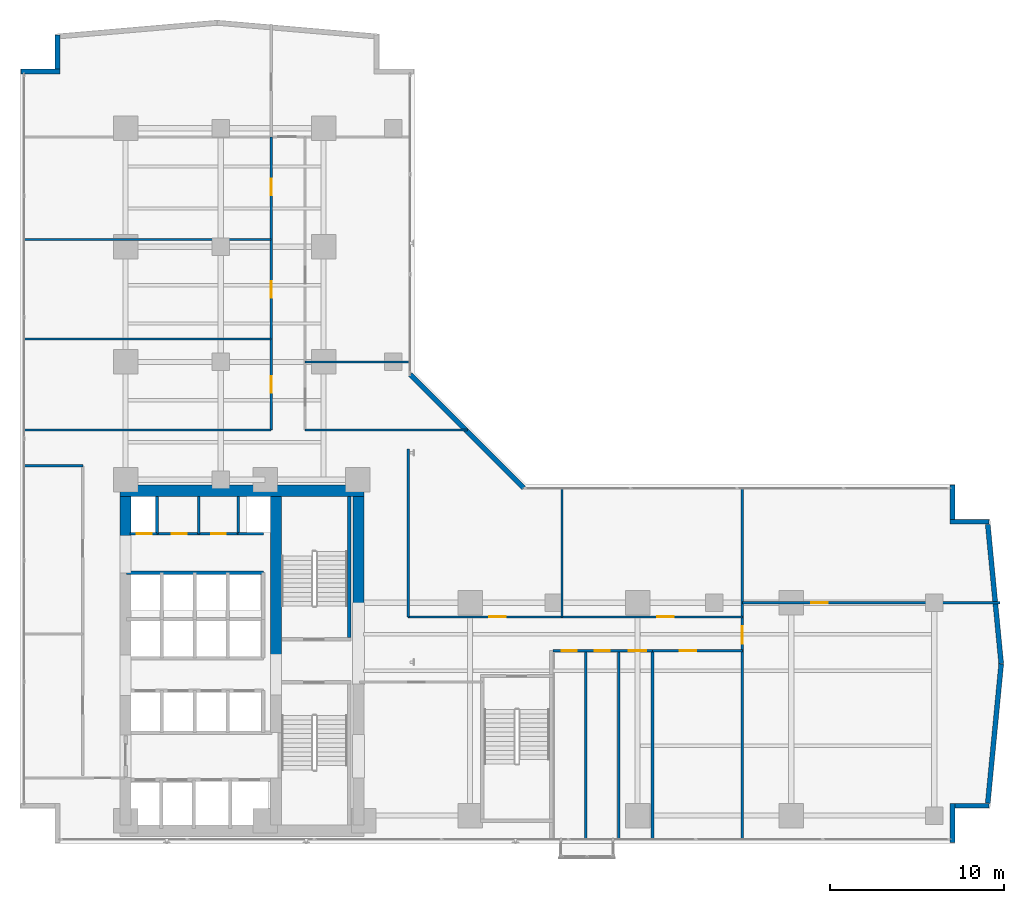
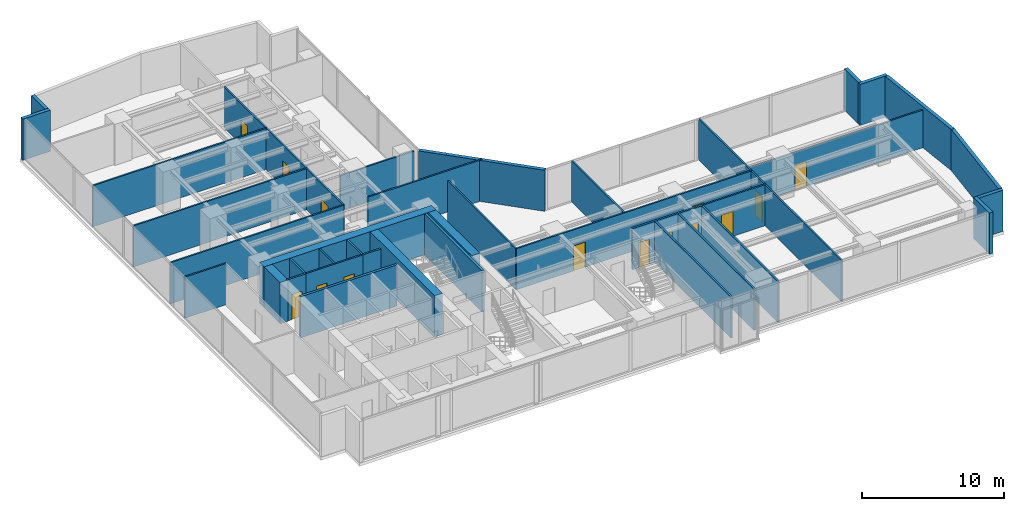
# One storey, part 22 of 26: 38 walls, 14 doors, 14 openings.
"""IFC4 building model written with IfcOpenShell, lengths in metres."""

import ifcopenshell
import ifcopenshell.guid

model = None  # the IFC model being written
_history = None  # IfcOwnerHistory: only IFC2X3 demands one
_inside = {}  # id of a spatial element -> (the spatial element, [elements in it])
_under = {}  # id of a project, library or spatial element -> (it, [spatial elements below it])
_declared = {}  # id of a project -> (the project, [libraries it declares])
_typed = {}  # id of a type object -> (the type object, [elements of that type])
_made_of = {}  # id of a material, layer set ... -> (it, [elements and type objects made of it])


def new_model(schema):
    """Start an empty IFC model of exactly this schema.

    Asked for "IFC4X3", IfcOpenShell would pick the latest addendum, in which some entities
    have other attributes; the version numbers below select the first issue.
    IFC2X3 requires an IfcOwnerHistory on every rooted entity: one is made here for all.
    """
    global model, _history
    if schema == "IFC4X3":
        model = ifcopenshell.file(schema_version=(4, 3, 0, 0))
    else:
        model = ifcopenshell.file(schema=schema)
    _inside.clear()
    _under.clear()
    _declared.clear()
    _typed.clear()
    _made_of.clear()
    _history = None
    if model.schema == "IFC2X3":
        org = make("IfcOrganization", Name="unknown")
        user = make(
            "IfcPersonAndOrganization",
            ThePerson=make("IfcPerson", FamilyName="unknown"),
            TheOrganization=org,
        )
        app = make(
            "IfcApplication",
            ApplicationDeveloper=org,
            Version="unknown",
            ApplicationFullName="unknown",
            ApplicationIdentifier="unknown",
        )
        _history = make(
            "IfcOwnerHistory",
            OwningUser=user,
            OwningApplication=app,
            ChangeAction="ADDED",
            CreationDate=0,
        )
    return model


def make(cls, **values):
    """One entity of the class cls with the attributes given. An attribute that is None is left unset."""
    return model.create_entity(
        cls, **{name: value for name, value in values.items() if value is not None}
    )


def rooted(cls, **values):
    """An entity with a GlobalId (a new one), such as an element, a storey or a relation."""
    return make(cls, GlobalId=ifcopenshell.guid.new(), OwnerHistory=_history, **values)


def si_unit(unit_type, name, prefix=None):
    """IfcSIUnit, for example si_unit("LENGTHUNIT", "METRE", prefix="MILLI")."""
    return make("IfcSIUnit", UnitType=unit_type, Prefix=prefix, Name=name)


def assignment(units):
    """IfcUnitAssignment: the units of a project."""
    return None if units is None else make("IfcUnitAssignment", Units=units)


def point(xyz):
    """IfcCartesianPoint."""
    return None if xyz is None else make("IfcCartesianPoint", Coordinates=xyz)


def direction(xyz):
    """IfcDirection."""
    return None if xyz is None else make("IfcDirection", DirectionRatios=xyz)


def frame(location, z_axis=None, x_axis=None):
    """IfcAxis2Placement3D, a coordinate frame: its origin and axes. An axis left out is left unset."""
    return make(
        "IfcAxis2Placement3D",
        Location=point(location),
        Axis=direction(z_axis),
        RefDirection=direction(x_axis),
    )


def frame_2d(location, x_axis=None):
    """IfcAxis2Placement2D, a coordinate frame in the plane: its origin and x axis."""
    return make(
        "IfcAxis2Placement2D", Location=point(location), RefDirection=direction(x_axis)
    )


def origin():
    """The frame at (0, 0, 0) with its axes left unset."""
    return frame((0.0, 0.0, 0.0))


def place(relative_to, where):
    """IfcLocalPlacement: puts the frame where relative to a parent placement (None: the world)."""
    return make(
        "IfcLocalPlacement", PlacementRelTo=relative_to, RelativePlacement=where
    )


def context(
    kind, dimensions, precision=None, world=None, true_north=None, identifier=None
):
    """IfcGeometricRepresentationContext, for example the 3D "Model" context."""
    return make(
        "IfcGeometricRepresentationContext",
        ContextIdentifier=identifier,
        ContextType=kind,
        CoordinateSpaceDimension=dimensions,
        Precision=precision,
        WorldCoordinateSystem=world,
        TrueNorth=true_north,
    )


def subcontext(parent, identifier, kind, view, scale=None):
    """IfcGeometricRepresentationSubContext, for example "Body" below "Model"."""
    return make(
        "IfcGeometricRepresentationSubContext",
        ContextIdentifier=identifier,
        ContextType=kind,
        ParentContext=parent,
        TargetScale=scale,
        TargetView=view,
    )


def project(units=None, contexts=None):
    """IfcProject with its units and contexts."""
    return rooted(
        "IfcProject",
        Name="project",
        RepresentationContexts=contexts,
        UnitsInContext=assignment(units),
    )


def spatial(cls, under=None, at=None, **own):
    """A site, building, storey or space (cls), placed at a placement, below another one or the project."""
    s = rooted(cls, ObjectPlacement=at, **own)
    if under is not None:
        _under.setdefault(under.id(), (under, []))[1].append(s)
    return s


def profile(cls, at=None, kind="AREA", **sizes):
    """A parametric profile (cls). Its sizes go by their IFC names, for example OverallWidth=200.0."""
    return make(cls, ProfileType=kind, Position=at, **sizes)


def rectangle(**sizes):
    """IfcRectangleProfileDef."""
    return profile("IfcRectangleProfileDef", **sizes)


def extrude(swept, where, along, depth):
    """IfcExtrudedAreaSolid: the profile swept, set in the frame where, extruded along a direction by depth."""
    return make(
        "IfcExtrudedAreaSolid",
        SweptArea=swept,
        Position=where,
        ExtrudedDirection=direction(along),
        Depth=depth,
    )


def shape(context_of_items, identifier, shape_type, items):
    """IfcShapeRepresentation: the items that make up one representation, for example the "Body"."""
    return make(
        "IfcShapeRepresentation",
        ContextOfItems=context_of_items,
        RepresentationIdentifier=identifier,
        RepresentationType=shape_type,
        Items=items,
    )


def material(Name=None, Category=None):
    """IfcMaterial."""
    return make("IfcMaterial", Name=Name, Category=Category)


def layer(
    of_material, thickness, ventilated=None, Name=None, Category=None, Priority=None
):
    """IfcMaterialLayer: one layer of a wall or slab, of a material (None: an air gap)."""
    return make(
        "IfcMaterialLayer",
        Material=of_material,
        LayerThickness=thickness,
        IsVentilated=ventilated,
        Name=Name,
        Category=Category,
        Priority=Priority,
    )


def layer_set(layers, Name=None):
    """IfcMaterialLayerSet."""
    return make("IfcMaterialLayerSet", MaterialLayers=layers, LayerSetName=Name)


def made_of(thing, what):
    """Note that an element or type object is made of a material, layer set ...; save() writes the relation."""
    if what is not None:
        _made_of.setdefault(what.id(), (what, []))[1].append(thing)
    return thing


def type_object(cls, material=None, **own):
    """A type object (cls), such as IfcWallType, which elements share."""
    return made_of(rooted(cls, **own), material)


def element(
    cls,
    number,
    at=None,
    inside=None,
    cuts=None,
    type_object=None,
    material=None,
    context=None,
    identifier="Body",
    shape_type=None,
    held_by="IfcProductDefinitionShape",
    body=None,
    shapes=None,
    **own,
):
    """One element of the class cls, such as IfcWall. Its Tag is "e" and its number.

    at: its placement. inside: the storey or other place that contains it. cuts: it is an
    opening in that element (IfcRelVoidsElement). A single representation is given by context,
    identifier, shape_type and body (its items); several are given by shapes. held_by: the class
    of the entity that holds the representations. save() writes the other relations.
    """
    e = rooted(cls, Tag="e%d" % number, ObjectPlacement=at, **own)
    if body is not None:
        shapes = [shape(context, identifier, shape_type, body)]
    if shapes is not None:
        e.Representation = make(held_by, Representations=shapes)
    if inside is not None:
        _inside.setdefault(inside.id(), (inside, []))[1].append(e)
    if cuts is not None:
        rooted(
            "IfcRelVoidsElement", RelatingBuildingElement=cuts, RelatedOpeningElement=e
        )
    if type_object is not None:
        _typed.setdefault(type_object.id(), (type_object, []))[1].append(e)
    return made_of(e, material)


def fill(opening, filler):
    """IfcRelFillsElement: the door or window that sits in an opening."""
    return rooted(
        "IfcRelFillsElement",
        RelatingOpeningElement=opening,
        RelatedBuildingElement=filler,
    )


def aggregate(whole, parts):
    """IfcRelAggregates: a whole, such as a stair, and the parts it consists of."""
    return rooted("IfcRelAggregates", RelatingObject=whole, RelatedObjects=parts)


def save(model, path):
    """Write the relations noted so far, then the file.

    IfcRelAggregates (storeys below a building ...), IfcRelContainedInSpatialStructure (elements
    in a storey), IfcRelDefinesByType, IfcRelAssociatesMaterial and IfcRelDeclares: one each for
    every whole, place, type object, material and project.
    """
    for whole, parts in _under.values():
        aggregate(whole, parts)
    for where, things in _inside.values():
        rooted(
            "IfcRelContainedInSpatialStructure",
            RelatedElements=things,
            RelatingStructure=where,
        )
    for kind, things in _typed.values():
        rooted("IfcRelDefinesByType", RelatedObjects=things, RelatingType=kind)
    for what, things in _made_of.values():
        rooted("IfcRelAssociatesMaterial", RelatedObjects=things, RelatingMaterial=what)
    for by, libraries in _declared.values():
        rooted("IfcRelDeclares", RelatingContext=by, RelatedDefinitions=libraries)
    model.write(path)


model = new_model("IFC4")

# Units and contexts
model_context = context("Model", 3, precision=1e-05, world=origin(), true_north=direction((0.0, 1.0)))
body_context = subcontext(model_context, "Body", "Model", "MODEL_VIEW")
ifc_project = project(units=[si_unit("LENGTHUNIT", "METRE"), si_unit("AREAUNIT", "SQUARE_METRE"), si_unit("VOLUMEUNIT", "CUBIC_METRE"), si_unit("PLANEANGLEUNIT", "RADIAN"), si_unit("MASSUNIT", "GRAM", prefix="KILO")], contexts=[model_context])

# Site, building, storey
site_placement = place(None, origin())
site = spatial("IfcSite", under=ifc_project, at=site_placement, CompositionType="ELEMENT")
building_placement = place(site_placement, origin())
building = spatial("IfcBuilding", under=site, at=building_placement, Name="Kolvaren Waterfront Exchange", CompositionType="ELEMENT")
storey_placement = place(building_placement, frame((0.0, 0.0, 99.300048828125)))
storey = spatial("IfcBuildingStorey", under=building, at=storey_placement, Name="L25", CompositionType="ELEMENT", Elevation=99.300048828125)

# Walls
ifc_material_1 = material(Name="Precast concrete C40/50", Category="concrete")
ifc_layer_1 = layer(ifc_material_1, 0.280029296875, Name="Precast concrete C40/50")
ifc_layer_set_1 = layer_set([ifc_layer_1], Name="Precast concrete C40/50")
wall_type_1 = type_object("IfcWallType", Name="ARC-EXT-TERR-280", PredefinedType="SOLIDWALL", material=ifc_layer_set_1)
wall_1_placement = place(storey_placement, frame((54.840087890625, 3.659912109375, 0.0), z_axis=(0.0, 0.0, 1.0), x_axis=(0.0, 1.0, 0.0)))
element("IfcWall", 1, at=wall_1_placement, inside=storey, type_object=wall_type_1, Name="L25 notched corner spandrel pier SE-A", PredefinedType="SOLIDWALL", context=body_context, shape_type="SweptSolid", body=[
    extrude(rectangle(XDim=2.239990234375, YDim=0.280029296875, at=frame_2d((1.1201171875, 0.0))), origin(), (0.0, 0.0, 1.0), 3.5400390625),
])
wall_2_placement = place(storey_placement, frame((54.97998046875, 5.760009765625, 0.0), z_axis=(0.0, 0.0, 1.0), x_axis=(1.0, 0.0, 0.0)))
element("IfcWall", 2, at=wall_2_placement, inside=storey, type_object=wall_type_1, Name="L25 notched corner spandrel pier SE-B", PredefinedType="SOLIDWALL", context=body_context, shape_type="SweptSolid", body=[
    extrude(rectangle(XDim=1.9599609375, YDim=0.280029296875, at=frame_2d((0.97998046875, 0.0))), origin(), (0.0, 0.0, 1.0), 3.5400390625),
])
wall_3_placement = place(storey_placement, frame((54.840087890625, 22.1650390625, 0.0), z_axis=(0.0, 0.0, 1.0), x_axis=(0.0, 1.0, 0.0)))
element("IfcWall", 3, at=wall_3_placement, inside=storey, type_object=wall_type_1, Name="L25 notched corner spandrel pier ENE-A", PredefinedType="SOLIDWALL", context=body_context, shape_type="SweptSolid", body=[
    extrude(rectangle(XDim=1.974853515625, YDim=0.280029296875, at=frame_2d((0.9873046875, 0.0))), origin(), (0.0, 0.0, 1.0), 3.5400390625),
])
for number, where, z_axis, x_axis, name in (
    (4, (54.699951171875, 22.0400390625, 0.0), (0.0, 0.0, 1.0), (1.0, 0.0, 0.0), "L25 notched corner spandrel pier ENE-B"),
    (5, (1.4599609375, 47.840087890625, 0.0), (0.0, 0.0, 1.0), (1.0, 0.0, 0.0), "L25 notched corner spandrel pier NW-A"),
):
    element("IfcWall", number, at=place(storey_placement, frame(where, z_axis=z_axis, x_axis=x_axis)), inside=storey, type_object=wall_type_1, Name=name, PredefinedType="SOLIDWALL", context=body_context, shape_type="SweptSolid", body=[
        extrude(rectangle(XDim=2.239990234375, YDim=0.280029296875, at=frame_2d((1.1201171875, 0.0))), origin(), (0.0, 0.0, 1.0), 3.5400390625),
    ])
wall_4_placement = place(storey_placement, frame((3.56005859375, 47.97998046875, 0.0), z_axis=(0.0, 0.0, 1.0), x_axis=(0.0, 1.0, 0.0)))
element("IfcWall", 6, at=wall_4_placement, inside=storey, type_object=wall_type_1, Name="L25 notched corner spandrel pier NW-B", PredefinedType="SOLIDWALL", context=body_context, shape_type="SweptSolid", body=[
    extrude(rectangle(XDim=1.9599609375, YDim=0.280029296875, at=frame_2d((0.97998046875, 0.0))), origin(), (0.0, 0.0, 1.0), 3.5400390625),
])
wall_5_placement = place(storey_placement, frame((30.284912109375, 23.97509765625, 0.0), z_axis=(0.0, 0.0, 1.0), x_axis=(-0.707106781187, 0.707106781187, 0.0)))
element("IfcWall", 7, at=wall_5_placement, inside=storey, type_object=wall_type_1, Name="L25 notched corner spandrel pier ELBOW", PredefinedType="SOLIDWALL", context=body_context, shape_type="SweptSolid", body=[
    extrude(rectangle(XDim=9.20654296875, YDim=0.280029296875, at=frame_2d((4.603271484375, 0.0))), origin(), (0.0, 0.0, 1.0), 3.5400390625),
])
for number, where, z_axis, x_axis, name in (
    (8, (56.869384765625, 5.9140625, 0.0), (0.0, 0.0, 1.0), (0.095969995245, 0.995384227328, 0.0), "L25 east prow faceted facade wall 1"),
    (9, (57.638916015625, 13.904541015625, 0.0), (0.0, 0.0, 1.0), (-0.095969995245, 0.995384227328, 0.0), "L25 east prow faceted facade wall 2"),
):
    element("IfcWall", number, at=place(storey_placement, frame(where, z_axis=z_axis, x_axis=x_axis)), inside=storey, type_object=wall_type_1, Name=name, PredefinedType="SOLIDWALL", context=body_context, shape_type="SweptSolid", body=[
        extrude(rectangle(XDim=8.0185546875, YDim=0.280029296875, at=frame_2d((4.00927734375, 0.0))), origin(), (0.0, 0.0, 1.0), 3.5400390625),
    ])

# Wall, openings, doors
ifc_material_2 = material(Name="Acoustic gypsum steel stud", Category="steel")
ifc_layer_2 = layer(ifc_material_2, 0.125, Name="Acoustic gypsum steel stud")
ifc_layer_set_2 = layer_set([ifc_layer_2], Name="Acoustic gypsum steel stud")
wall_type_2 = type_object("IfcWallType", Name="ARC-PART-125", PredefinedType="PARTITIONING", material=ifc_layer_set_2)
wall_6_placement = place(storey_placement, frame((9.25, 21.35009765625, 0.0), z_axis=(0.0, 0.0, 1.0), x_axis=(1.0, 0.0, 0.0)))
wall_6 = element("IfcWall", 10, at=wall_6_placement, inside=storey, type_object=wall_type_2, Name="L25 interior wall PW-L25-SVC-EX-S", PredefinedType="PARTITIONING", context=body_context, shape_type="SweptSolid", body=[
    extrude(rectangle(XDim=4.64990234375, YDim=0.125, at=frame_2d((2.324951171875, 0.0))), origin(), (0.0, 0.0, 1.0), 3.5400390625),
])
opening_1_placement = place(wall_6_placement, frame((0.85009765625, 0.0, 0.0)))
opening_1 = element("IfcOpeningElement", 11, at=opening_1_placement, cuts=wall_6, Name="Opening D01", PredefinedType="OPENING", context=body_context, shape_type="SweptSolid", body=[
    extrude(rectangle(XDim=0.85009765625, YDim=2.14990234375, at=frame_2d((0.425048828125, 1.074951171875))), frame((0.0, 0.072509765625, 0.0), z_axis=(0.0, -1.0, 0.0), x_axis=(1.0, 0.0, 0.0)), (0.0, 0.0, 1.0), 0.14501953125),
])
opening_2_placement = place(wall_6_placement, frame((3.10009765625, 0.0, 0.0)))
opening_2 = element("IfcOpeningElement", 12, at=opening_2_placement, cuts=wall_6, Name="Opening D01", PredefinedType="OPENING", context=body_context, shape_type="SweptSolid", body=[
    extrude(rectangle(XDim=0.85009765625, YDim=2.14990234375, at=frame_2d((0.425048828125, 1.074951171875))), frame((0.0, 0.072509765625, 0.0), z_axis=(0.0, -1.0, 0.0), x_axis=(1.0, 0.0, 0.0)), (0.0, 0.0, 1.0), 0.14501953125),
])
ifc_material_3 = material(Name="Oak veneer timber leaf", Category="wood")
door_type_1 = type_object("IfcDoorType", Name="ARC-DR-900", OperationType="NOTDEFINED", PredefinedType="DOOR", material=ifc_material_3)
door_1_placement = place(opening_1_placement, origin())
door_1 = element("IfcDoor", 13, at=door_1_placement, inside=storey, type_object=door_type_1, Name="L25 door DR-L25-SVC-DR-1 (D01)", OperationType="SINGLE_SWING_RIGHT", OverallHeight=2.14990234375, OverallWidth=0.85009765625, PredefinedType="DOOR", context=body_context, shape_type="SweptSolid", body=[
    extrude(rectangle(XDim=0.85009765625, YDim=2.14990234375, at=frame_2d((0.425048828125, 1.074951171875))), frame((0.0, 0.02490234375, 0.0), z_axis=(0.0, -1.0, 0.0), x_axis=(1.0, 0.0, 0.0)), (0.0, 0.0, 1.0), 0.050048828125),
])
fill(opening_1, door_1)
door_2_placement = place(opening_2_placement, origin())
door_2 = element("IfcDoor", 14, at=door_2_placement, inside=storey, type_object=door_type_1, Name="L25 door DR-L25-SVC-DR-2 (D01)", OperationType="SINGLE_SWING_LEFT", OverallHeight=2.14990234375, OverallWidth=0.85009765625, PredefinedType="DOOR", context=body_context, shape_type="SweptSolid", body=[
    extrude(rectangle(XDim=0.85009765625, YDim=2.14990234375, at=frame_2d((0.425048828125, 1.074951171875))), frame((0.0, 0.02490234375, 0.0), z_axis=(0.0, -1.0, 0.0), x_axis=(1.0, 0.0, 0.0)), (0.0, 0.0, 1.0), 0.050048828125),
])
fill(opening_2, door_2)

# Walls
wall_7_placement = place(storey_placement, frame((11.64990234375, 21.35009765625, 0.0), z_axis=(0.0, 0.0, 1.0), x_axis=(0.0, 1.0, 0.0)))
element("IfcWall", 15, at=wall_7_placement, inside=storey, type_object=wall_type_2, Name="L25 interior wall PW-L25-SVC-EX-M1", PredefinedType="PARTITIONING", context=body_context, shape_type="SweptSolid", body=[
    extrude(rectangle(XDim=2.1298828125, YDim=0.125, at=frame_2d((1.06494140625, 0.0))), origin(), (0.0, 0.0, 1.0), 3.5400390625),
])
wall_8_placement = place(storey_placement, frame((1.639892578125, 25.25, 0.0), z_axis=(0.0, 0.0, 1.0), x_axis=(1.0, 0.0, 0.0)))
element("IfcWall", 16, at=wall_8_placement, inside=storey, type_object=wall_type_2, Name="L25 interior wall PW-L25-WFLANK-N", PredefinedType="PARTITIONING", context=body_context, shape_type="SweptSolid", body=[
    extrude(rectangle(XDim=3.360107421875, YDim=0.125, at=frame_2d((1.68017578125, 0.0))), origin(), (0.0, 0.0, 1.0), 3.5400390625),
])

# Wall, opening, door
wall_9_placement = place(storey_placement, frame((37.64990234375, 14.64990234375, 0.0), z_axis=(0.0, 0.0, 1.0), x_axis=(1.0, 0.0, 0.0)))
wall_9 = element("IfcWall", 17, at=wall_9_placement, inside=storey, type_object=wall_type_2, Name="L25 interior wall PW-L25-ES-CORR", PredefinedType="PARTITIONING", context=body_context, shape_type="SweptSolid", body=[
    extrude(rectangle(XDim=5.150146484375, YDim=0.125, at=frame_2d((2.5751953125, 0.0))), origin(), (0.0, 0.0, 1.0), 3.5400390625),
])
opening_3_placement = place(wall_9_placement, frame((1.552978515625, 0.0, 0.0)))
opening_3 = element("IfcOpeningElement", 18, at=opening_3_placement, cuts=wall_9, Name="Opening D02", PredefinedType="OPENING", context=body_context, shape_type="SweptSolid", body=[
    extrude(rectangle(XDim=0.949951171875, YDim=2.14990234375, at=frame_2d((0.47509765625, 1.074951171875))), frame((0.0, 0.072509765625, 0.0), z_axis=(0.0, -1.0, 0.0), x_axis=(1.0, 0.0, 0.0)), (0.0, 0.0, 1.0), 0.14501953125),
])
ifc_material_4 = material(Name="Oak veneer acoustic timber", Category="wood")
door_type_2 = type_object("IfcDoorType", Name="ARC-DR-950", OperationType="NOTDEFINED", PredefinedType="DOOR", material=ifc_material_4)
door_3_placement = place(opening_3_placement, origin())
door_3 = element("IfcDoor", 19, at=door_3_placement, inside=storey, type_object=door_type_2, Name="L25 door DR-L25-ES-D-1 (D02)", OperationType="SINGLE_SWING_LEFT", OverallHeight=2.14990234375, OverallWidth=0.949951171875, PredefinedType="DOOR", context=body_context, shape_type="SweptSolid", body=[
    extrude(rectangle(XDim=0.949951171875, YDim=2.14990234375, at=frame_2d((0.47509765625, 1.074951171875))), frame((0.0, 0.02490234375, 0.0), z_axis=(0.0, -1.0, 0.0), x_axis=(1.0, 0.0, 0.0)), (0.0, 0.0, 1.0), 0.050048828125),
])
fill(opening_3, door_3)

wall_10_placement = place(storey_placement, frame((42.800048828125, 3.840087890625, 0.0), z_axis=(0.0, 0.0, 1.0), x_axis=(0.0, 1.0, 0.0)))
wall_10 = element("IfcWall", 20, at=wall_10_placement, inside=storey, type_object=wall_type_2, Name="L25 interior wall PW-L25-ETIP-W", PredefinedType="PARTITIONING", context=body_context, shape_type="SweptSolid", body=[
    extrude(rectangle(XDim=20.119873046875, YDim=0.125, at=frame_2d((10.06005859375, 0.0))), origin(), (0.0, 0.0, 1.0), 3.5400390625),
])
opening_4_placement = place(wall_10_placement, frame((11.2099609375, 0.0, 0.0)))
opening_4 = element("IfcOpeningElement", 21, at=opening_4_placement, cuts=wall_10, Name="Opening D03", PredefinedType="OPENING", context=body_context, shape_type="SweptSolid", body=[
    extrude(rectangle(XDim=1.0, YDim=2.199951171875, at=frame_2d((0.5, 1.10009765625))), frame((0.0, 0.072509765625, 0.0), z_axis=(0.0, -1.0, 0.0), x_axis=(1.0, 0.0, 0.0)), (0.0, 0.0, 1.0), 0.14501953125),
])
ifc_material_5 = material(Name="Oak veneer accessible timber", Category="wood")
door_type_3 = type_object("IfcDoorType", Name="ARC-DR-1000", OperationType="NOTDEFINED", PredefinedType="DOOR", material=ifc_material_5)
door_4_placement = place(opening_4_placement, origin())
door_4 = element("IfcDoor", 22, at=door_4_placement, inside=storey, type_object=door_type_3, Name="L25 door DR-L25-ETIP1-D (D03)", OperationType="SINGLE_SWING_RIGHT", OverallHeight=2.199951171875, OverallWidth=1.0, PredefinedType="DOOR", context=body_context, shape_type="SweptSolid", body=[
    extrude(rectangle(XDim=1.0, YDim=2.199951171875, at=frame_2d((0.5, 1.10009765625))), frame((0.0, 0.02490234375, 0.0), z_axis=(0.0, -1.0, 0.0), x_axis=(1.0, 0.0, 0.0)), (0.0, 0.0, 1.0), 0.050048828125),
])
fill(opening_4, door_4)

wall_11_placement = place(storey_placement, frame((42.800048828125, 17.39990234375, 0.0), z_axis=(0.0, 0.0, 1.0), x_axis=(1.0, 0.0, 0.0)))
wall_11 = element("IfcWall", 23, at=wall_11_placement, inside=storey, type_object=wall_type_2, Name="L25 interior wall PW-L25-ETIP-MID", PredefinedType="PARTITIONING", context=body_context, shape_type="SweptSolid", body=[
    extrude(rectangle(XDim=14.760009765625, YDim=0.125, at=frame_2d((7.3798828125, 0.0))), origin(), (0.0, 0.0, 1.0), 3.239990234375),
])
opening_5_placement = place(wall_11_placement, frame((3.956298828125, 0.0, 0.0)))
opening_5 = element("IfcOpeningElement", 24, at=opening_5_placement, cuts=wall_11, Name="Opening D02", PredefinedType="OPENING", context=body_context, shape_type="SweptSolid", body=[
    extrude(rectangle(XDim=0.949951171875, YDim=2.14990234375, at=frame_2d((0.47509765625, 1.074951171875))), frame((0.0, 0.072509765625, 0.0), z_axis=(0.0, -1.0, 0.0), x_axis=(1.0, 0.0, 0.0)), (0.0, 0.0, 1.0), 0.14501953125),
])
door_5_placement = place(opening_5_placement, origin())
door_5 = element("IfcDoor", 25, at=door_5_placement, inside=storey, type_object=door_type_2, Name="L25 door DR-L25-ETIP2-D (D02)", OperationType="SINGLE_SWING_LEFT", OverallHeight=2.14990234375, OverallWidth=0.949951171875, PredefinedType="DOOR", context=body_context, shape_type="SweptSolid", body=[
    extrude(rectangle(XDim=0.949951171875, YDim=2.14990234375, at=frame_2d((0.47509765625, 1.074951171875))), frame((0.0, 0.02490234375, 0.0), z_axis=(0.0, -1.0, 0.0), x_axis=(1.0, 0.0, 0.0)), (0.0, 0.0, 1.0), 0.050048828125),
])
fill(opening_5, door_5)

# Wall
wall_12_placement = place(storey_placement, frame((23.64990234375, 16.590087890625, 0.0), z_axis=(0.0, 0.0, 1.0), x_axis=(0.0, 1.0, 0.0)))
element("IfcWall", 26, at=wall_12_placement, inside=storey, type_object=wall_type_2, Name="L25 interior wall PW-L25-EN-W0", PredefinedType="PARTITIONING", context=body_context, shape_type="SweptSolid", body=[
    extrude(rectangle(XDim=9.60986328125, YDim=0.125, at=frame_2d((4.804931640625, 0.0))), origin(), (0.0, 0.0, 1.0), 3.5400390625),
])

# Wall, openings, doors
wall_13_placement = place(storey_placement, frame((23.64990234375, 16.590087890625, 0.0), z_axis=(0.0, 0.0, 1.0), x_axis=(1.0, 0.0, 0.0)))
wall_13 = element("IfcWall", 27, at=wall_13_placement, inside=storey, type_object=wall_type_2, Name="L25 interior wall PW-L25-EN-CORR", PredefinedType="PARTITIONING", context=body_context, shape_type="SweptSolid", body=[
    extrude(rectangle(XDim=19.150146484375, YDim=0.125, at=frame_2d((9.5751953125, 0.0))), origin(), (0.0, 0.0, 1.0), 3.5400390625),
])
opening_6_placement = place(wall_13_placement, frame((4.635986328125, 0.0, 0.0)))
opening_6 = element("IfcOpeningElement", 28, at=opening_6_placement, cuts=wall_13, Name="Opening D02", PredefinedType="OPENING", context=body_context, shape_type="SweptSolid", body=[
    extrude(rectangle(XDim=0.949951171875, YDim=2.14990234375, at=frame_2d((0.47509765625, 1.074951171875))), frame((0.0, 0.072509765625, 0.0), z_axis=(0.0, -1.0, 0.0), x_axis=(1.0, 0.0, 0.0)), (0.0, 0.0, 1.0), 0.14501953125),
])
opening_7_placement = place(wall_13_placement, frame((14.279541015625, 0.0, 0.0)))
opening_7 = element("IfcOpeningElement", 29, at=opening_7_placement, cuts=wall_13, Name="Opening D02", PredefinedType="OPENING", context=body_context, shape_type="SweptSolid", body=[
    extrude(rectangle(XDim=0.949951171875, YDim=2.14990234375, at=frame_2d((0.47509765625, 1.074951171875))), frame((0.0, 0.072509765625, 0.0), z_axis=(0.0, -1.0, 0.0), x_axis=(1.0, 0.0, 0.0)), (0.0, 0.0, 1.0), 0.14501953125),
])
door_6_placement = place(opening_6_placement, origin())
door_6 = element("IfcDoor", 30, at=door_6_placement, inside=storey, type_object=door_type_2, Name="L25 door DR-L25-EN-D-1 (D02)", OperationType="SINGLE_SWING_RIGHT", OverallHeight=2.14990234375, OverallWidth=0.949951171875, PredefinedType="DOOR", context=body_context, shape_type="SweptSolid", body=[
    extrude(rectangle(XDim=0.949951171875, YDim=2.14990234375, at=frame_2d((0.47509765625, 1.074951171875))), frame((0.0, 0.02490234375, 0.0), z_axis=(0.0, -1.0, 0.0), x_axis=(1.0, 0.0, 0.0)), (0.0, 0.0, 1.0), 0.050048828125),
])
fill(opening_6, door_6)
door_7_placement = place(opening_7_placement, origin())
door_7 = element("IfcDoor", 31, at=door_7_placement, inside=storey, type_object=door_type_2, Name="L25 door DR-L25-EN-D-2 (D02)", OperationType="SINGLE_SWING_LEFT", OverallHeight=2.14990234375, OverallWidth=0.949951171875, PredefinedType="DOOR", context=body_context, shape_type="SweptSolid", body=[
    extrude(rectangle(XDim=0.949951171875, YDim=2.14990234375, at=frame_2d((0.47509765625, 1.074951171875))), frame((0.0, 0.02490234375, 0.0), z_axis=(0.0, -1.0, 0.0), x_axis=(1.0, 0.0, 0.0)), (0.0, 0.0, 1.0), 0.050048828125),
])
fill(opening_7, door_7)

# Walls
wall_14_placement = place(storey_placement, frame((32.4599609375, 16.590087890625, 0.0), z_axis=(0.0, 0.0, 1.0), x_axis=(0.0, 1.0, 0.0)))
element("IfcWall", 32, at=wall_14_placement, inside=storey, type_object=wall_type_2, Name="L25 interior wall PW-L25-EN-DIV-1", PredefinedType="PARTITIONING", context=body_context, shape_type="SweptSolid", body=[
    extrude(rectangle(XDim=7.369873046875, YDim=0.125, at=frame_2d((3.68505859375, 0.0))), origin(), (0.0, 0.0, 1.0), 3.5400390625),
])
wall_15_placement = place(storey_placement, frame((1.639892578125, 27.300048828125, 0.0), z_axis=(0.0, 0.0, 1.0), x_axis=(1.0, 0.0, 0.0)))
element("IfcWall", 33, at=wall_15_placement, inside=storey, type_object=wall_type_2, Name="L25 interior wall PW-L25-NW-S0", PredefinedType="PARTITIONING", context=body_context, shape_type="SweptSolid", body=[
    extrude(rectangle(XDim=14.16015625, YDim=0.125, at=frame_2d((7.080078125, 0.0))), origin(), (0.0, 0.0, 1.0), 3.5400390625),
])

# Wall, openings, doors
wall_16_placement = place(storey_placement, frame((15.800048828125, 27.300048828125, 0.0), z_axis=(0.0, 0.0, 1.0), x_axis=(0.0, 1.0, 0.0)))
wall_16 = element("IfcWall", 34, at=wall_16_placement, inside=storey, type_object=wall_type_2, Name="L25 interior wall PW-L25-NW-CORR", PredefinedType="PARTITIONING", context=body_context, shape_type="SweptSolid", body=[
    extrude(rectangle(XDim=16.800048828125, YDim=0.125, at=frame_2d((8.39990234375, 0.0))), origin(), (0.0, 0.0, 1.0), 3.5400390625),
])
opening_8_placement = place(wall_16_placement, frame((2.1298828125, 0.0, 0.0)))
opening_8 = element("IfcOpeningElement", 35, at=opening_8_placement, cuts=wall_16, Name="Opening D02", PredefinedType="OPENING", context=body_context, shape_type="SweptSolid", body=[
    extrude(rectangle(XDim=0.949951171875, YDim=2.14990234375, at=frame_2d((0.47509765625, 1.074951171875))), frame((0.0, 0.072509765625, 0.0), z_axis=(0.0, -1.0, 0.0), x_axis=(1.0, 0.0, 0.0)), (0.0, 0.0, 1.0), 0.14501953125),
])
opening_9_placement = place(wall_16_placement, frame((7.590087890625, 0.0, 0.0)))
opening_9 = element("IfcOpeningElement", 36, at=opening_9_placement, cuts=wall_16, Name="Opening D02", PredefinedType="OPENING", context=body_context, shape_type="SweptSolid", body=[
    extrude(rectangle(XDim=0.949951171875, YDim=2.14990234375, at=frame_2d((0.47509765625, 1.074951171875))), frame((0.0, 0.072509765625, 0.0), z_axis=(0.0, -1.0, 0.0), x_axis=(1.0, 0.0, 0.0)), (0.0, 0.0, 1.0), 0.14501953125),
])
opening_10_placement = place(wall_16_placement, frame((13.456298828125, 0.0, 0.0)))
opening_10 = element("IfcOpeningElement", 37, at=opening_10_placement, cuts=wall_16, Name="Opening D02", PredefinedType="OPENING", context=body_context, shape_type="SweptSolid", body=[
    extrude(rectangle(XDim=0.949951171875, YDim=2.14990234375, at=frame_2d((0.47509765625, 1.074951171875))), frame((0.0, 0.072509765625, 0.0), z_axis=(0.0, -1.0, 0.0), x_axis=(1.0, 0.0, 0.0)), (0.0, 0.0, 1.0), 0.14501953125),
])
door_8_placement = place(opening_8_placement, origin())
door_8 = element("IfcDoor", 38, at=door_8_placement, inside=storey, type_object=door_type_2, Name="L25 door DR-L25-NW-D-1 (D02)", OperationType="SINGLE_SWING_RIGHT", OverallHeight=2.14990234375, OverallWidth=0.949951171875, PredefinedType="DOOR", context=body_context, shape_type="SweptSolid", body=[
    extrude(rectangle(XDim=0.949951171875, YDim=2.14990234375, at=frame_2d((0.47509765625, 1.074951171875))), frame((0.0, 0.02490234375, 0.0), z_axis=(0.0, -1.0, 0.0), x_axis=(1.0, 0.0, 0.0)), (0.0, 0.0, 1.0), 0.050048828125),
])
fill(opening_8, door_8)
door_9_placement = place(opening_9_placement, origin())
door_9 = element("IfcDoor", 39, at=door_9_placement, inside=storey, type_object=door_type_2, Name="L25 door DR-L25-NW-D-2 (D02)", OperationType="SINGLE_SWING_LEFT", OverallHeight=2.14990234375, OverallWidth=0.949951171875, PredefinedType="DOOR", context=body_context, shape_type="SweptSolid", body=[
    extrude(rectangle(XDim=0.949951171875, YDim=2.14990234375, at=frame_2d((0.47509765625, 1.074951171875))), frame((0.0, 0.02490234375, 0.0), z_axis=(0.0, -1.0, 0.0), x_axis=(1.0, 0.0, 0.0)), (0.0, 0.0, 1.0), 0.050048828125),
])
fill(opening_9, door_9)
door_10_placement = place(opening_10_placement, origin())
door_10 = element("IfcDoor", 40, at=door_10_placement, inside=storey, type_object=door_type_2, Name="L25 door DR-L25-NW-D-3 (D02)", OperationType="SINGLE_SWING_RIGHT", OverallHeight=2.14990234375, OverallWidth=0.949951171875, PredefinedType="DOOR", context=body_context, shape_type="SweptSolid", body=[
    extrude(rectangle(XDim=0.949951171875, YDim=2.14990234375, at=frame_2d((0.47509765625, 1.074951171875))), frame((0.0, 0.02490234375, 0.0), z_axis=(0.0, -1.0, 0.0), x_axis=(1.0, 0.0, 0.0)), (0.0, 0.0, 1.0), 0.050048828125),
])
fill(opening_10, door_10)

# Walls
for number, where, z_axis, x_axis, name in (
    (41, (1.639892578125, 32.510009765625, 0.0), (0.0, 0.0, 1.0), (1.0, 0.0, 0.0), "L25 interior wall PW-L25-NW-DIV-1"),
    (42, (1.639892578125, 38.219970703125, 0.0), (0.0, 0.0, 1.0), (1.0, 0.0, 0.0), "L25 interior wall PW-L25-NW-DIV-2"),
):
    element("IfcWall", number, at=place(storey_placement, frame(where, z_axis=z_axis, x_axis=x_axis)), inside=storey, type_object=wall_type_2, Name=name, PredefinedType="PARTITIONING", context=body_context, shape_type="SweptSolid", body=[
        extrude(rectangle(XDim=14.16015625, YDim=0.125, at=frame_2d((7.080078125, 0.0))), origin(), (0.0, 0.0, 1.0), 3.5400390625),
    ])
wall_17_placement = place(storey_placement, frame((17.739990234375, 27.300048828125, 0.0), z_axis=(0.0, 0.0, 1.0), x_axis=(1.0, 0.0, 0.0)))
element("IfcWall", 43, at=wall_17_placement, inside=storey, type_object=wall_type_2, Name="L25 interior wall PW-L25-NE-S0", PredefinedType="PARTITIONING", context=body_context, shape_type="SweptSolid", body=[
    extrude(rectangle(XDim=9.320068359375, YDim=0.125, at=frame_2d((4.66015625, 0.0))), origin(), (0.0, 0.0, 1.0), 3.5400390625),
])
wall_18_placement = place(storey_placement, frame((17.739990234375, 31.199951171875, 0.0), z_axis=(0.0, 0.0, 1.0), x_axis=(1.0, 0.0, 0.0)))
element("IfcWall", 44, at=wall_18_placement, inside=storey, type_object=wall_type_2, Name="L25 interior wall PW-L25-NE-DIV-1", PredefinedType="PARTITIONING", context=body_context, shape_type="SweptSolid", body=[
    extrude(rectangle(XDim=6.02001953125, YDim=0.125, at=frame_2d((3.010009765625, 0.0))), origin(), (0.0, 0.0, 1.0), 3.0400390625),
])
ifc_material_6 = material(Name="Gypsum fireboard steel stud", Category="steel")
ifc_layer_3 = layer(ifc_material_6, 0.14990234375, Name="Gypsum fireboard steel stud")
ifc_layer_set_3 = layer_set([ifc_layer_3], Name="Gypsum fireboard steel stud")
wall_type_3 = type_object("IfcWallType", Name="ARC-PART-150", PredefinedType="PARTITIONING", material=ifc_layer_set_3)
for number, where, z_axis, x_axis, name in (
    (45, (9.25, 21.35009765625, 0.0), (0.0, 0.0, 1.0), (0.0, 1.0, 0.0), "L25 interior wall PW-L25-SVC-R1"),
    (46, (13.89990234375, 21.35009765625, 0.0), (0.0, 0.0, 1.0), (0.0, 1.0, 0.0), "L25 interior wall PW-L25-SVC-R2"),
):
    element("IfcWall", number, at=place(storey_placement, frame(where, z_axis=z_axis, x_axis=x_axis)), inside=storey, type_object=wall_type_3, Name=name, PredefinedType="PARTITIONING", context=body_context, shape_type="SweptSolid", body=[
        extrude(rectangle(XDim=2.1298828125, YDim=0.14990234375, at=frame_2d((1.06494140625, 0.0))), origin(), (0.0, 0.0, 1.0), 3.5400390625),
    ])

# Wall, opening, door
wall_19_placement = place(storey_placement, frame((7.699951171875, 21.35009765625, 0.0), z_axis=(0.0, 0.0, 1.0), x_axis=(1.0, 0.0, 0.0)))
wall_19 = element("IfcWall", 47, at=wall_19_placement, inside=storey, type_object=wall_type_3, Name="L25 interior wall PW-L25-SVC-RE-S", PredefinedType="PARTITIONING", context=body_context, shape_type="SweptSolid", body=[
    extrude(rectangle(XDim=1.550048828125, YDim=0.14990234375, at=frame_2d((0.77490234375, 0.0))), origin(), (0.0, 0.0, 1.0), 3.5400390625),
])
opening_11_placement = place(wall_19_placement, frame((0.389892578125, 0.0, 0.0)))
opening_11 = element("IfcOpeningElement", 48, at=opening_11_placement, cuts=wall_19, Name="Opening FD1", PredefinedType="OPENING", context=body_context, shape_type="SweptSolid", body=[
    extrude(rectangle(XDim=0.85009765625, YDim=2.14990234375, at=frame_2d((0.425048828125, 1.074951171875))), frame((0.0, 0.0849609375, 0.0), z_axis=(0.0, -1.0, 0.0), x_axis=(1.0, 0.0, 0.0)), (0.0, 0.0, 1.0), 0.169921875),
])
ifc_material_7 = material(Name="Pressed steel fire leaf", Category="steel")
door_type_4 = type_object("IfcDoorType", Name="ARC-FD-900", OperationType="NOTDEFINED", PredefinedType="DOOR", material=ifc_material_7)
door_11_placement = place(opening_11_placement, origin())
door_11 = element("IfcDoor", 49, at=door_11_placement, inside=storey, type_object=door_type_4, Name="L25 door DR-L25-RISER-E-DR (FD1)", OperationType="SINGLE_SWING_LEFT", OverallHeight=2.14990234375, OverallWidth=0.85009765625, PredefinedType="DOOR", context=body_context, shape_type="SweptSolid", body=[
    extrude(rectangle(XDim=0.85009765625, YDim=2.14990234375, at=frame_2d((0.425048828125, 1.074951171875))), frame((0.0, 0.02490234375, 0.0), z_axis=(0.0, -1.0, 0.0), x_axis=(1.0, 0.0, 0.0)), (0.0, 0.0, 1.0), 0.050048828125),
])
fill(opening_11, door_11)

# Wall
wall_20_placement = place(storey_placement, frame((13.89990234375, 21.35009765625, 0.0), z_axis=(0.0, 0.0, 1.0), x_axis=(1.0, 0.0, 0.0)))
element("IfcWall", 50, at=wall_20_placement, inside=storey, type_object=wall_type_3, Name="L25 interior wall PW-L25-SVC-RP-S", PredefinedType="PARTITIONING", context=body_context, shape_type="SweptSolid", body=[
    extrude(rectangle(XDim=1.4501953125, YDim=0.14990234375, at=frame_2d((0.72509765625, 0.0))), origin(), (0.0, 0.0, 1.0), 3.5400390625),
])

# Wall, openings, doors
ifc_material_8 = material(Name="Moisture-resistant gypsum stud")
ifc_layer_4 = layer(ifc_material_8, 0.14990234375, Name="Moisture-resistant gypsum stud")
ifc_layer_set_4 = layer_set([ifc_layer_4], Name="Moisture-resistant gypsum stud")
wall_type_4 = type_object("IfcWallType", Name="ARC-PLUMB-150", PredefinedType="PLUMBINGWALL", material=ifc_layer_set_4)
wall_21_placement = place(storey_placement, frame((31.949951171875, 14.64990234375, 0.0), z_axis=(0.0, 0.0, 1.0), x_axis=(1.0, 0.0, 0.0)))
wall_21 = element("IfcWall", 51, at=wall_21_placement, inside=storey, type_object=wall_type_4, Name="L25 interior wall PW-L25-WC-N", PredefinedType="PLUMBINGWALL", context=body_context, shape_type="SweptSolid", body=[
    extrude(rectangle(XDim=5.699951171875, YDim=0.14990234375, at=frame_2d((2.85009765625, 0.0))), origin(), (0.0, 0.0, 1.0), 3.5400390625),
])
opening_12_placement = place(wall_21_placement, frame((0.514892578125, 0.0, 0.0)))
opening_12 = element("IfcOpeningElement", 52, at=opening_12_placement, cuts=wall_21, Name="Opening D01", PredefinedType="OPENING", context=body_context, shape_type="SweptSolid", body=[
    extrude(rectangle(XDim=0.85009765625, YDim=2.14990234375, at=frame_2d((0.425048828125, 1.074951171875))), frame((0.0, 0.0849609375, 0.0), z_axis=(0.0, -1.0, 0.0), x_axis=(1.0, 0.0, 0.0)), (0.0, 0.0, 1.0), 0.169921875),
])
opening_13_placement = place(wall_21_placement, frame((2.39501953125, 0.0, 0.0)))
opening_13 = element("IfcOpeningElement", 53, at=opening_13_placement, cuts=wall_21, Name="Opening D01", PredefinedType="OPENING", context=body_context, shape_type="SweptSolid", body=[
    extrude(rectangle(XDim=0.85009765625, YDim=2.14990234375, at=frame_2d((0.425048828125, 1.074951171875))), frame((0.0, 0.0849609375, 0.0), z_axis=(0.0, -1.0, 0.0), x_axis=(1.0, 0.0, 0.0)), (0.0, 0.0, 1.0), 0.169921875),
])
opening_14_placement = place(wall_21_placement, frame((4.35009765625, 0.0, 0.0)))
opening_14 = element("IfcOpeningElement", 54, at=opening_14_placement, cuts=wall_21, Name="Opening D03", PredefinedType="OPENING", context=body_context, shape_type="SweptSolid", body=[
    extrude(rectangle(XDim=1.0, YDim=2.199951171875, at=frame_2d((0.5, 1.10009765625))), frame((0.0, 0.0849609375, 0.0), z_axis=(0.0, -1.0, 0.0), x_axis=(1.0, 0.0, 0.0)), (0.0, 0.0, 1.0), 0.169921875),
])
door_12_placement = place(opening_14_placement, origin())
door_12 = element("IfcDoor", 55, at=door_12_placement, inside=storey, type_object=door_type_3, Name="L25 door DR-L25-WCA-D (D03)", OperationType="SINGLE_SWING_RIGHT", OverallHeight=2.199951171875, OverallWidth=1.0, PredefinedType="DOOR", context=body_context, shape_type="SweptSolid", body=[
    extrude(rectangle(XDim=1.0, YDim=2.199951171875, at=frame_2d((0.5, 1.10009765625))), frame((0.0, 0.02490234375, 0.0), z_axis=(0.0, -1.0, 0.0), x_axis=(1.0, 0.0, 0.0)), (0.0, 0.0, 1.0), 0.050048828125),
])
fill(opening_14, door_12)
door_13_placement = place(opening_12_placement, origin())
door_13 = element("IfcDoor", 56, at=door_13_placement, inside=storey, type_object=door_type_1, Name="L25 door DR-L25-WCM-D (D01)", OperationType="SINGLE_SWING_RIGHT", OverallHeight=2.14990234375, OverallWidth=0.85009765625, PredefinedType="DOOR", context=body_context, shape_type="SweptSolid", body=[
    extrude(rectangle(XDim=0.85009765625, YDim=2.14990234375, at=frame_2d((0.425048828125, 1.074951171875))), frame((0.0, 0.02490234375, 0.0), z_axis=(0.0, -1.0, 0.0), x_axis=(1.0, 0.0, 0.0)), (0.0, 0.0, 1.0), 0.050048828125),
])
fill(opening_12, door_13)
door_14_placement = place(opening_13_placement, origin())
door_14 = element("IfcDoor", 57, at=door_14_placement, inside=storey, type_object=door_type_1, Name="L25 door DR-L25-WCF-D (D01)", OperationType="SINGLE_SWING_LEFT", OverallHeight=2.14990234375, OverallWidth=0.85009765625, PredefinedType="DOOR", context=body_context, shape_type="SweptSolid", body=[
    extrude(rectangle(XDim=0.85009765625, YDim=2.14990234375, at=frame_2d((0.425048828125, 1.074951171875))), frame((0.0, 0.02490234375, 0.0), z_axis=(0.0, -1.0, 0.0), x_axis=(1.0, 0.0, 0.0)), (0.0, 0.0, 1.0), 0.050048828125),
])
fill(opening_13, door_14)

# Walls
for number, where, z_axis, x_axis, name in (
    (58, (33.830078125, 3.840087890625, 0.0), (0.0, 0.0, 1.0), (0.0, 1.0, 0.0), "L25 interior wall PW-L25-WC-1"),
    (59, (35.7099609375, 3.840087890625, 0.0), (0.0, 0.0, 1.0), (0.0, 1.0, 0.0), "L25 interior wall PW-L25-WC-2"),
    (60, (37.64990234375, 3.840087890625, 0.0), (0.0, 0.0, 1.0), (0.0, 1.0, 0.0), "L25 interior wall PW-L25-WC-3"),
):
    element("IfcWall", number, at=place(storey_placement, frame(where, z_axis=z_axis, x_axis=x_axis)), inside=storey, type_object=wall_type_4, Name=name, PredefinedType="PLUMBINGWALL", context=body_context, shape_type="SweptSolid", body=[
        extrude(rectangle(XDim=10.809814453125, YDim=0.14990234375, at=frame_2d((5.40478515625, 0.0))), origin(), (0.0, 0.0, 1.0), 3.5400390625),
    ])
ifc_material_9 = material(Name="Concrete C40/50", Category="concrete")
ifc_layer_5 = layer(ifc_material_9, 0.199951171875, Name="Concrete C40/50")
ifc_layer_set_5 = layer_set([ifc_layer_5], Name="Concrete C40/50")
wall_type_5 = type_object("IfcWallType", Name="ARC-SHAFT-200", PredefinedType="PARTITIONING", material=ifc_layer_set_5)
wall_22_placement = place(storey_placement, frame((20.260009765625, 15.39990234375, 0.0), z_axis=(0.0, 0.0, 1.0), x_axis=(0.0, 1.0, 0.0)))
element("IfcWall", 61, at=wall_22_placement, inside=storey, type_object=wall_type_5, Name="L25 structural stairwell wall PW-L25-ST2-E", PredefinedType="SHEAR", context=body_context, shape_type="SweptSolid", body=[
    extrude(rectangle(XDim=8.090087890625, YDim=0.199951171875, at=frame_2d((4.044921875, 0.0))), origin(), (0.0, 0.0, 1.0), 3.5400390625),
])
wall_23_placement = place(storey_placement, frame((7.5, 19.1201171875, 0.0), z_axis=(0.0, 0.0, 1.0), x_axis=(1.0, 0.0, 0.0)))
element("IfcWall", 62, at=wall_23_placement, inside=storey, type_object=wall_type_5, Name="L25 interior wall PW-L25-PH-N", PredefinedType="PARTITIONING", context=body_context, shape_type="SweptSolid", body=[
    extrude(rectangle(XDim=7.85009765625, YDim=0.199951171875, at=frame_2d((3.925048828125, 0.0))), origin(), (0.0, 0.0, 1.0), 3.5400390625),
])
ifc_material_10 = material(Name="Concrete C60/75", Category="concrete")
ifc_layer_6 = layer(ifc_material_10, 0.64990234375, Name="Concrete C60/75")
ifc_layer_set_6 = layer_set([ifc_layer_6], Name="Concrete C60/75")
wall_type_6 = type_object("IfcWallType", Name="STR-CWALL-650", PredefinedType="SHEAR", material=ifc_layer_set_6)
wall_24_placement = place(storey_placement, frame((7.125, 23.824951171875, 0.0), z_axis=(0.0, 0.0, 1.0), x_axis=(1.0, 0.0, 0.0)))
element("IfcWall", 63, at=wall_24_placement, inside=storey, type_object=wall_type_6, Name="L25 rear-core shear wall N", PredefinedType="SHEAR", context=body_context, shape_type="SweptSolid", body=[
    extrude(rectangle(XDim=14.0, YDim=0.64990234375, at=frame_2d((7.0, 0.0))), origin(), (0.0, 0.0, 1.0), 3.5400390625),
])
wall_25_placement = place(storey_placement, frame((7.449951171875, 21.239990234375, 0.0), z_axis=(0.0, 0.0, 1.0), x_axis=(0.0, 1.0, 0.0)))
element("IfcWall", 64, at=wall_25_placement, inside=storey, type_object=wall_type_6, Name="L25 rear-core shear wall W3", PredefinedType="SHEAR", context=body_context, shape_type="SweptSolid", body=[
    extrude(rectangle(XDim=2.260009765625, YDim=0.64990234375, at=frame_2d((1.1298828125, 0.0))), origin(), (0.0, 0.0, 1.0), 3.5400390625),
])
wall_26_placement = place(storey_placement, frame((20.800048828125, 17.35009765625, 0.0), z_axis=(0.0, 0.0, 1.0), x_axis=(0.0, 1.0, 0.0)))
element("IfcWall", 65, at=wall_26_placement, inside=storey, type_object=wall_type_6, Name="L25 rear-core shear wall E3", PredefinedType="SHEAR", context=body_context, shape_type="SweptSolid", body=[
    extrude(rectangle(XDim=6.14990234375, YDim=0.64990234375, at=frame_2d((3.074951171875, 0.0))), origin(), (0.0, 0.0, 1.0), 3.5400390625),
])
wall_27_placement = place(storey_placement, frame((16.074951171875, 14.39990234375, 0.0), z_axis=(0.0, 0.0, 1.0), x_axis=(0.0, 1.0, 0.0)))
element("IfcWall", 66, at=wall_27_placement, inside=storey, type_object=wall_type_6, Name="L25 rear-core shear wall M3", PredefinedType="SHEAR", context=body_context, shape_type="SweptSolid", body=[
    extrude(rectangle(XDim=9.10009765625, YDim=0.64990234375, at=frame_2d((4.550048828125, 0.0))), origin(), (0.0, 0.0, 1.0), 3.5400390625),
])

save(model, "model.ifc")
